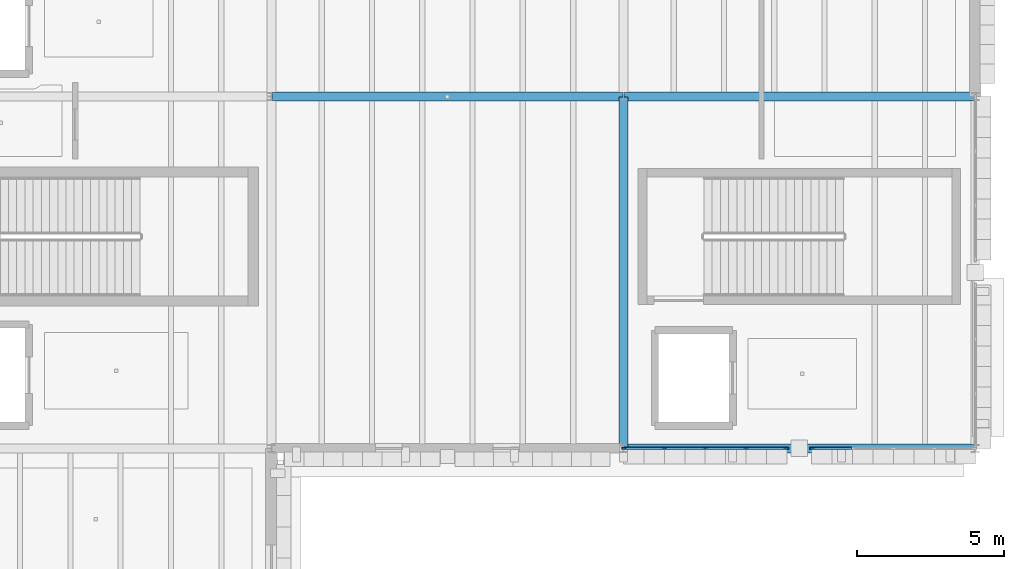
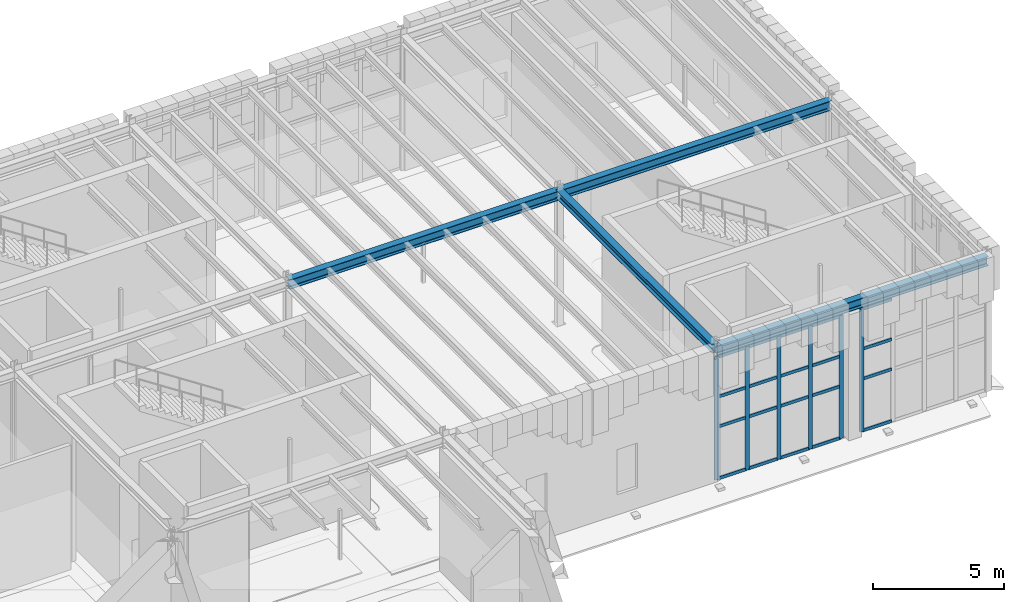
# One storey, part 27 of 62: 26 members, 4 beams, 2 elements without a shape of their own.
"""IFC4 building model written with IfcOpenShell, lengths in metres."""

from ifc_helpers import new_model, si_unit, direction, frame, origin, origin_2d, place, context, subcontext, project, spatial, rectangle, i_section, extrude, material, layer, layer_set, material_profile, profile_set, type_object, element, aggregate, save


model = new_model("IFC4")

# Units and contexts
model_context = context("Model", 3, precision=1e-05, world=origin(), true_north=direction((0.0, 1.0)))
body_context = subcontext(model_context, "Body", "Model", "MODEL_VIEW")
ifc_project = project(units=[si_unit("LENGTHUNIT", "METRE"), si_unit("AREAUNIT", "SQUARE_METRE"), si_unit("VOLUMEUNIT", "CUBIC_METRE"), si_unit("PLANEANGLEUNIT", "RADIAN"), si_unit("MASSUNIT", "GRAM", prefix="KILO")], contexts=[model_context])

# Site, building, storey
site_placement = place(None, origin())
site = spatial("IfcSite", under=ifc_project, at=site_placement, CompositionType="ELEMENT")
building_placement = place(site_placement, origin())
building = spatial("IfcBuilding", under=site, at=building_placement, Name="Zlatogorsky Bluff Art Gallery", CompositionType="ELEMENT")
storey_placement = place(building_placement, frame((0.0, 0.0, 16.800048828125)))
storey = spatial("IfcBuildingStorey", under=building, at=storey_placement, Name="L03", CompositionType="ELEMENT", Elevation=16.800048828125)

# Beams
ifc_material_1 = material(Name="Steel S355", Category="steel")
ifc_material_profile_1 = material_profile(ifc_material_1, i_section(OverallWidth=0.300048828125, OverallDepth=0.43994140625, WebThickness=0.011474609375, FlangeThickness=0.02099609375, FilletRadius=0.027099609375, at=origin_2d()), Name="HEA 450")
ifc_profile_set_1 = profile_set([ifc_material_profile_1], Name="Steel S355")
beam_type_1 = type_object("IfcBeamType", Name="Beam BM-08 HEA 450", PredefinedType="BEAM", material=ifc_profile_set_1)
for number, where, z_axis, x_axis, name in (
    (1, (132.014892578125, 96.0, 6.10986328125), (1.0, 0.0, 0.0), (0.0, 1.0, 0.0), "Primary girder BM-08 L03 M-N/10"),
    (2, (144.014892578125, 84.0, 6.10986328125), (1.0, 0.0, 0.0), (0.0, 1.0, 0.0), "Primary girder BM-08 L03 N-P/9"),
    (3, (144.014892578125, 96.0, 6.10986328125), (1.0, 0.0, 0.0), (0.0, 1.0, 0.0), "Primary girder BM-08 L03 N-P/10"),
):
    element("IfcBeam", number, at=place(storey_placement, frame(where, z_axis=z_axis, x_axis=x_axis)), inside=storey, type_object=beam_type_1, Name=name, PredefinedType="BEAM", context=body_context, shape_type="SweptSolid", body=[
        extrude(i_section(OverallWidth=0.300048828125, OverallDepth=0.43994140625, WebThickness=0.011474609375, FlangeThickness=0.02099609375, FilletRadius=0.027099609375, at=origin_2d()), origin(), (0.0, 0.0, 1.0), 11.97021484375),
    ])
ifc_material_profile_2 = material_profile(ifc_material_1, i_section(OverallWidth=0.300048828125, OverallDepth=0.389892578125, WebThickness=0.010986328125, FlangeThickness=0.01904296875, FilletRadius=0.027099609375, at=origin_2d()), Name="HEA 400")
ifc_profile_set_2 = profile_set([ifc_material_profile_2], Name="Steel S355")
beam_type_2 = type_object("IfcBeamType", Name="Beam BM-09 HEA 400", PredefinedType="BEAM", material=ifc_profile_set_2)
beam_placement = place(storey_placement, frame((144.0, 84.014892578125, 6.135009765625), z_axis=(0.0, 1.0, 0.0), x_axis=(-1.0, 0.0, 0.0)))
element("IfcBeam", 4, at=beam_placement, inside=storey, type_object=beam_type_2, Name="Primary girder BM-09 L03 N/9-10", PredefinedType="BEAM", context=body_context, shape_type="SweptSolid", body=[
    extrude(i_section(OverallWidth=0.300048828125, OverallDepth=0.389892578125, WebThickness=0.010986328125, FlangeThickness=0.01904296875, FilletRadius=0.027099609375, at=origin_2d()), origin(), (0.0, 0.0, 1.0), 11.97021484375),
])

# Curtain wall, members
ifc_material_2 = material(Name="Anodised Bronze Aluminium and Low-Iron Triple Glazing", Category="aluminium")
ifc_layer = layer(ifc_material_2, 0.199951171875)
ifc_layer_set = layer_set([ifc_layer], Name="Curtain Wall CW-02")
curtain_wall_type = type_object("IfcCurtainWallType", Name="Curtain Wall CW-02", PredefinedType="USERDEFINED", material=ifc_layer_set)
curtain_wall_1_placement = place(storey_placement, origin())
curtain_wall_1 = element("IfcCurtainWall", 5, at=curtain_wall_1_placement, inside=storey, type_object=curtain_wall_type, Name="Unitised curtain wall CW-02 L03 S 12.8-A", ObjectType="CURTAIN WALL", PredefinedType="USERDEFINED")
ifc_material_3 = material(Name="Anodised Bronze Aluminium", Category="aluminium")
ifc_material_profile_3 = material_profile(ifc_material_3, rectangle(XDim=0.06494140625, YDim=0.179931640625, at=origin_2d()), Name="ALU MULLION 65x180")
ifc_profile_set_3 = profile_set([ifc_material_profile_3], Name="Anodised Bronze Aluminium")
member_type_1 = type_object("IfcMemberType", Name="Curtain Mullion ML-01", PredefinedType="MULLION", material=ifc_profile_set_3)
member_1_placement = place(storey_placement, frame((144.032470703125, 84.0, 0.0), z_axis=(0.0, 0.0, 1.0), x_axis=(0.0, 1.0, 0.0)))
member_1 = element("IfcMember", 6, at=member_1_placement, type_object=member_type_1, Name="CW-02 mullion 1", PredefinedType="MULLION", context=body_context, shape_type="SweptSolid", body=[
    extrude(rectangle(XDim=0.06494140625, YDim=0.179931640625, at=origin_2d()), origin(), (0.0, 0.0, 1.0), 5.75),
])
member_2_placement = place(storey_placement, frame((145.39501953125, 84.0, 0.0), z_axis=(0.0, 0.0, 1.0), x_axis=(0.0, 1.0, 0.0)))
member_2 = element("IfcMember", 7, at=member_2_placement, type_object=member_type_1, Name="CW-02 mullion 2", PredefinedType="MULLION", context=body_context, shape_type="SweptSolid", body=[
    extrude(rectangle(XDim=0.06494140625, YDim=0.179931640625, at=origin_2d()), origin(), (0.0, 0.0, 1.0), 5.75),
])
member_3_placement = place(storey_placement, frame((146.7900390625, 84.0, 0.0), z_axis=(0.0, 0.0, 1.0), x_axis=(0.0, 1.0, 0.0)))
member_3 = element("IfcMember", 8, at=member_3_placement, type_object=member_type_1, Name="CW-02 mullion 3", PredefinedType="MULLION", context=body_context, shape_type="SweptSolid", body=[
    extrude(rectangle(XDim=0.06494140625, YDim=0.179931640625, at=origin_2d()), origin(), (0.0, 0.0, 1.0), 5.75),
])
member_4_placement = place(storey_placement, frame((148.18505859375, 84.0, 0.0), z_axis=(0.0, 0.0, 1.0), x_axis=(0.0, 1.0, 0.0)))
member_4 = element("IfcMember", 9, at=member_4_placement, type_object=member_type_1, Name="CW-02 mullion 4", PredefinedType="MULLION", context=body_context, shape_type="SweptSolid", body=[
    extrude(rectangle(XDim=0.06494140625, YDim=0.179931640625, at=origin_2d()), origin(), (0.0, 0.0, 1.0), 5.75),
])
member_5_placement = place(storey_placement, frame((149.547607421875, 84.0, 0.0), z_axis=(0.0, 0.0, 1.0), x_axis=(0.0, 1.0, 0.0)))
member_5 = element("IfcMember", 10, at=member_5_placement, type_object=member_type_1, Name="CW-02 mullion 5", PredefinedType="MULLION", context=body_context, shape_type="SweptSolid", body=[
    extrude(rectangle(XDim=0.06494140625, YDim=0.179931640625, at=origin_2d()), origin(), (0.0, 0.0, 1.0), 5.75),
])

# Curtain wall, member
curtain_wall_2_placement = place(storey_placement, origin())
curtain_wall_2 = element("IfcCurtainWall", 11, at=curtain_wall_2_placement, inside=storey, type_object=curtain_wall_type, Name="Unitised curtain wall CW-02 L03 S 12.8-B", ObjectType="CURTAIN WALL", PredefinedType="USERDEFINED")
member_6_placement = place(storey_placement, frame((150.452392578125, 84.0, 0.0), z_axis=(0.0, 0.0, 1.0), x_axis=(0.0, 1.0, 0.0)))
member_6 = element("IfcMember", 12, at=member_6_placement, type_object=member_type_1, Name="CW-02 mullion 1", PredefinedType="MULLION", context=body_context, shape_type="SweptSolid", body=[
    extrude(rectangle(XDim=0.06494140625, YDim=0.179931640625, at=origin_2d()), origin(), (0.0, 0.0, 1.0), 5.75),
])

# Member
ifc_material_profile_4 = material_profile(ifc_material_3, rectangle(XDim=0.06494140625, YDim=0.139892578125, at=origin_2d()), Name="ALU TRANSOM 65x140")
ifc_profile_set_4 = profile_set([ifc_material_profile_4], Name="Anodised Bronze Aluminium")
member_type_2 = type_object("IfcMemberType", Name="Curtain Transom TR-01", PredefinedType="USERDEFINED", material=ifc_profile_set_4)
member_7_placement = place(storey_placement, frame((144.06494140625, 84.0, 0.032470703125), z_axis=(1.0, 0.0, 0.0), x_axis=(0.0, 1.0, 0.0)))
member_7 = element("IfcMember", 13, at=member_7_placement, type_object=member_type_2, Name="CW-02 transom 1.1", ObjectType="TRANSOM", PredefinedType="USERDEFINED", context=body_context, shape_type="SweptSolid", body=[
    extrude(rectangle(XDim=0.06494140625, YDim=0.139892578125, at=origin_2d()), origin(), (0.0, 0.0, 1.0), 1.297607421875),
])

member_8_placement = place(storey_placement, frame((144.06494140625, 84.0, 2.449951171875), z_axis=(1.0, 0.0, 0.0), x_axis=(0.0, 1.0, 0.0)))
member_8 = element("IfcMember", 14, at=member_8_placement, type_object=member_type_2, Name="CW-02 transom 1.2", ObjectType="TRANSOM", PredefinedType="USERDEFINED", context=body_context, shape_type="SweptSolid", body=[
    extrude(rectangle(XDim=0.06494140625, YDim=0.139892578125, at=origin_2d()), origin(), (0.0, 0.0, 1.0), 1.297607421875),
])

member_9_placement = place(storey_placement, frame((144.06494140625, 84.0, 3.849853515625), z_axis=(1.0, 0.0, 0.0), x_axis=(0.0, 1.0, 0.0)))
member_9 = element("IfcMember", 15, at=member_9_placement, type_object=member_type_2, Name="CW-02 transom 1.3", ObjectType="TRANSOM", PredefinedType="USERDEFINED", context=body_context, shape_type="SweptSolid", body=[
    extrude(rectangle(XDim=0.06494140625, YDim=0.139892578125, at=origin_2d()), origin(), (0.0, 0.0, 1.0), 1.297607421875),
])

member_10_placement = place(storey_placement, frame((144.06494140625, 84.0, 5.717529296875), z_axis=(1.0, 0.0, 0.0), x_axis=(0.0, 1.0, 0.0)))
member_10 = element("IfcMember", 16, at=member_10_placement, type_object=member_type_2, Name="CW-02 transom 1.4", ObjectType="TRANSOM", PredefinedType="USERDEFINED", context=body_context, shape_type="SweptSolid", body=[
    extrude(rectangle(XDim=0.06494140625, YDim=0.139892578125, at=origin_2d()), origin(), (0.0, 0.0, 1.0), 1.297607421875),
])

member_11_placement = place(storey_placement, frame((145.427490234375, 84.0, 0.032470703125), z_axis=(1.0, 0.0, 0.0), x_axis=(0.0, 1.0, 0.0)))
member_11 = element("IfcMember", 17, at=member_11_placement, type_object=member_type_2, Name="CW-02 transom 2.1", ObjectType="TRANSOM", PredefinedType="USERDEFINED", context=body_context, shape_type="SweptSolid", body=[
    extrude(rectangle(XDim=0.06494140625, YDim=0.139892578125, at=origin_2d()), origin(), (0.0, 0.0, 1.0), 1.330078125),
])

member_12_placement = place(storey_placement, frame((145.427490234375, 84.0, 2.449951171875), z_axis=(1.0, 0.0, 0.0), x_axis=(0.0, 1.0, 0.0)))
member_12 = element("IfcMember", 18, at=member_12_placement, type_object=member_type_2, Name="CW-02 transom 2.2", ObjectType="TRANSOM", PredefinedType="USERDEFINED", context=body_context, shape_type="SweptSolid", body=[
    extrude(rectangle(XDim=0.06494140625, YDim=0.139892578125, at=origin_2d()), origin(), (0.0, 0.0, 1.0), 1.330078125),
])

member_13_placement = place(storey_placement, frame((145.427490234375, 84.0, 3.849853515625), z_axis=(1.0, 0.0, 0.0), x_axis=(0.0, 1.0, 0.0)))
member_13 = element("IfcMember", 19, at=member_13_placement, type_object=member_type_2, Name="CW-02 transom 2.3", ObjectType="TRANSOM", PredefinedType="USERDEFINED", context=body_context, shape_type="SweptSolid", body=[
    extrude(rectangle(XDim=0.06494140625, YDim=0.139892578125, at=origin_2d()), origin(), (0.0, 0.0, 1.0), 1.330078125),
])

member_14_placement = place(storey_placement, frame((145.427490234375, 84.0, 5.717529296875), z_axis=(1.0, 0.0, 0.0), x_axis=(0.0, 1.0, 0.0)))
member_14 = element("IfcMember", 20, at=member_14_placement, type_object=member_type_2, Name="CW-02 transom 2.4", ObjectType="TRANSOM", PredefinedType="USERDEFINED", context=body_context, shape_type="SweptSolid", body=[
    extrude(rectangle(XDim=0.06494140625, YDim=0.139892578125, at=origin_2d()), origin(), (0.0, 0.0, 1.0), 1.330078125),
])

member_15_placement = place(storey_placement, frame((146.822509765625, 84.0, 0.032470703125), z_axis=(1.0, 0.0, 0.0), x_axis=(0.0, 1.0, 0.0)))
member_15 = element("IfcMember", 21, at=member_15_placement, type_object=member_type_2, Name="CW-02 transom 3.1", ObjectType="TRANSOM", PredefinedType="USERDEFINED", context=body_context, shape_type="SweptSolid", body=[
    extrude(rectangle(XDim=0.06494140625, YDim=0.139892578125, at=origin_2d()), origin(), (0.0, 0.0, 1.0), 1.330078125),
])

member_16_placement = place(storey_placement, frame((146.822509765625, 84.0, 2.449951171875), z_axis=(1.0, 0.0, 0.0), x_axis=(0.0, 1.0, 0.0)))
member_16 = element("IfcMember", 22, at=member_16_placement, type_object=member_type_2, Name="CW-02 transom 3.2", ObjectType="TRANSOM", PredefinedType="USERDEFINED", context=body_context, shape_type="SweptSolid", body=[
    extrude(rectangle(XDim=0.06494140625, YDim=0.139892578125, at=origin_2d()), origin(), (0.0, 0.0, 1.0), 1.330078125),
])

member_17_placement = place(storey_placement, frame((146.822509765625, 84.0, 3.849853515625), z_axis=(1.0, 0.0, 0.0), x_axis=(0.0, 1.0, 0.0)))
member_17 = element("IfcMember", 23, at=member_17_placement, type_object=member_type_2, Name="CW-02 transom 3.3", ObjectType="TRANSOM", PredefinedType="USERDEFINED", context=body_context, shape_type="SweptSolid", body=[
    extrude(rectangle(XDim=0.06494140625, YDim=0.139892578125, at=origin_2d()), origin(), (0.0, 0.0, 1.0), 1.330078125),
])

member_18_placement = place(storey_placement, frame((146.822509765625, 84.0, 5.717529296875), z_axis=(1.0, 0.0, 0.0), x_axis=(0.0, 1.0, 0.0)))
member_18 = element("IfcMember", 24, at=member_18_placement, type_object=member_type_2, Name="CW-02 transom 3.4", ObjectType="TRANSOM", PredefinedType="USERDEFINED", context=body_context, shape_type="SweptSolid", body=[
    extrude(rectangle(XDim=0.06494140625, YDim=0.139892578125, at=origin_2d()), origin(), (0.0, 0.0, 1.0), 1.330078125),
])

member_19_placement = place(storey_placement, frame((148.217529296875, 84.0, 0.032470703125), z_axis=(1.0, 0.0, 0.0), x_axis=(0.0, 1.0, 0.0)))
member_19 = element("IfcMember", 25, at=member_19_placement, type_object=member_type_2, Name="CW-02 transom 4.1", ObjectType="TRANSOM", PredefinedType="USERDEFINED", context=body_context, shape_type="SweptSolid", body=[
    extrude(rectangle(XDim=0.06494140625, YDim=0.139892578125, at=origin_2d()), origin(), (0.0, 0.0, 1.0), 1.29736328125),
])

member_20_placement = place(storey_placement, frame((148.217529296875, 84.0, 2.449951171875), z_axis=(1.0, 0.0, 0.0), x_axis=(0.0, 1.0, 0.0)))
member_20 = element("IfcMember", 26, at=member_20_placement, type_object=member_type_2, Name="CW-02 transom 4.2", ObjectType="TRANSOM", PredefinedType="USERDEFINED", context=body_context, shape_type="SweptSolid", body=[
    extrude(rectangle(XDim=0.06494140625, YDim=0.139892578125, at=origin_2d()), origin(), (0.0, 0.0, 1.0), 1.29736328125),
])

member_21_placement = place(storey_placement, frame((148.217529296875, 84.0, 3.849853515625), z_axis=(1.0, 0.0, 0.0), x_axis=(0.0, 1.0, 0.0)))
member_21 = element("IfcMember", 27, at=member_21_placement, type_object=member_type_2, Name="CW-02 transom 4.3", ObjectType="TRANSOM", PredefinedType="USERDEFINED", context=body_context, shape_type="SweptSolid", body=[
    extrude(rectangle(XDim=0.06494140625, YDim=0.139892578125, at=origin_2d()), origin(), (0.0, 0.0, 1.0), 1.29736328125),
])

member_22_placement = place(storey_placement, frame((148.217529296875, 84.0, 5.717529296875), z_axis=(1.0, 0.0, 0.0), x_axis=(0.0, 1.0, 0.0)))
member_22 = element("IfcMember", 28, at=member_22_placement, type_object=member_type_2, Name="CW-02 transom 4.4", ObjectType="TRANSOM", PredefinedType="USERDEFINED", context=body_context, shape_type="SweptSolid", body=[
    extrude(rectangle(XDim=0.06494140625, YDim=0.139892578125, at=origin_2d()), origin(), (0.0, 0.0, 1.0), 1.29736328125),
])

aggregate(curtain_wall_1, [member_1, member_2, member_3, member_4, member_5, member_7, member_8, member_9, member_10, member_11, member_12, member_13, member_14, member_15, member_16, member_17, member_18, member_19, member_20, member_21, member_22])

member_23_placement = place(storey_placement, frame((150.485107421875, 84.0, 0.032470703125), z_axis=(1.0, 0.0, 0.0), x_axis=(0.0, 1.0, 0.0)))
member_23 = element("IfcMember", 29, at=member_23_placement, type_object=member_type_2, Name="CW-02 transom 1.1", ObjectType="TRANSOM", PredefinedType="USERDEFINED", context=body_context, shape_type="SweptSolid", body=[
    extrude(rectangle(XDim=0.06494140625, YDim=0.139892578125, at=origin_2d()), origin(), (0.0, 0.0, 1.0), 1.29736328125),
])

member_24_placement = place(storey_placement, frame((150.485107421875, 84.0, 2.449951171875), z_axis=(1.0, 0.0, 0.0), x_axis=(0.0, 1.0, 0.0)))
member_24 = element("IfcMember", 30, at=member_24_placement, type_object=member_type_2, Name="CW-02 transom 1.2", ObjectType="TRANSOM", PredefinedType="USERDEFINED", context=body_context, shape_type="SweptSolid", body=[
    extrude(rectangle(XDim=0.06494140625, YDim=0.139892578125, at=origin_2d()), origin(), (0.0, 0.0, 1.0), 1.29736328125),
])

member_25_placement = place(storey_placement, frame((150.485107421875, 84.0, 3.849853515625), z_axis=(1.0, 0.0, 0.0), x_axis=(0.0, 1.0, 0.0)))
member_25 = element("IfcMember", 31, at=member_25_placement, type_object=member_type_2, Name="CW-02 transom 1.3", ObjectType="TRANSOM", PredefinedType="USERDEFINED", context=body_context, shape_type="SweptSolid", body=[
    extrude(rectangle(XDim=0.06494140625, YDim=0.139892578125, at=origin_2d()), origin(), (0.0, 0.0, 1.0), 1.29736328125),
])

member_26_placement = place(storey_placement, frame((150.485107421875, 84.0, 5.717529296875), z_axis=(1.0, 0.0, 0.0), x_axis=(0.0, 1.0, 0.0)))
member_26 = element("IfcMember", 32, at=member_26_placement, type_object=member_type_2, Name="CW-02 transom 1.4", ObjectType="TRANSOM", PredefinedType="USERDEFINED", context=body_context, shape_type="SweptSolid", body=[
    extrude(rectangle(XDim=0.06494140625, YDim=0.139892578125, at=origin_2d()), origin(), (0.0, 0.0, 1.0), 1.29736328125),
])

aggregate(curtain_wall_2, [member_6, member_23, member_24, member_25, member_26])

save(model, "model.ifc")
